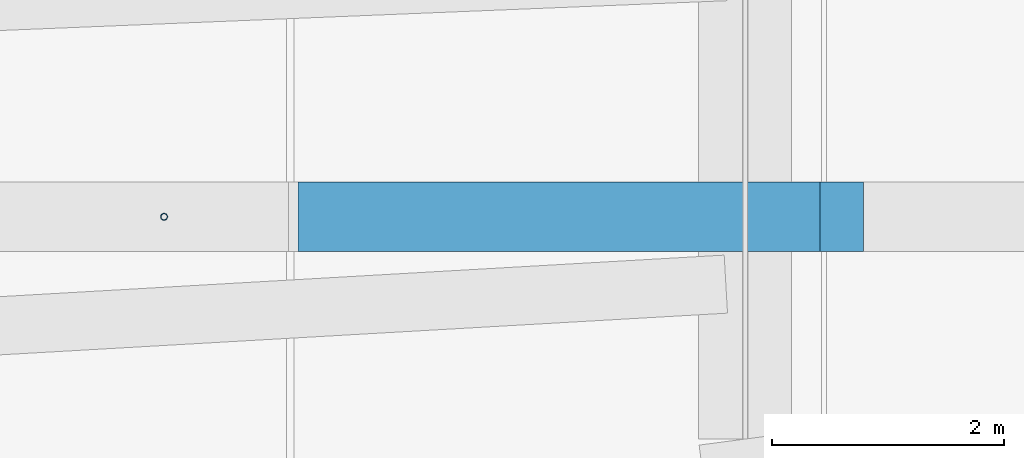
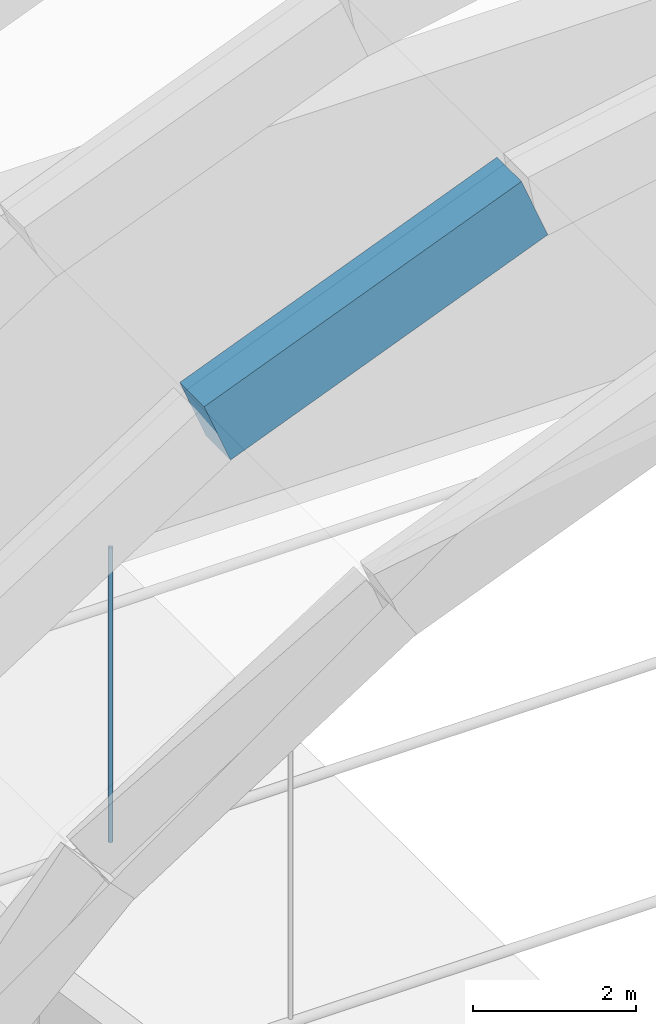
# One storey, part 25 of 94: 1 beam, 1 member.
"""IFC4 building model written with IfcOpenShell, lengths in metres."""

from ifc_helpers import new_model, si_unit, direction, frame, origin, origin_2d, place, context, subcontext, project, spatial, rectangle, hollow_circle, extrude, material, material_profile, profile_set, type_object, element, save


model = new_model("IFC4")

# Units and contexts
model_context = context("Model", 3, precision=1e-05, world=origin(), true_north=direction((0.0, 1.0)))
body_context = subcontext(model_context, "Body", "Model", "MODEL_VIEW")
ifc_project = project(units=[si_unit("LENGTHUNIT", "METRE"), si_unit("AREAUNIT", "SQUARE_METRE"), si_unit("VOLUMEUNIT", "CUBIC_METRE"), si_unit("PLANEANGLEUNIT", "RADIAN"), si_unit("MASSUNIT", "GRAM", prefix="KILO")], contexts=[model_context])

# Site, building, storey
site_placement = place(None, origin())
site = spatial("IfcSite", under=ifc_project, at=site_placement, CompositionType="ELEMENT")
building_placement = place(site_placement, origin())
building = spatial("IfcBuilding", under=site, at=building_placement, Name="Lunette Opera House", CompositionType="ELEMENT")
storey_placement = place(building_placement, frame((0.0, 0.0, 22.5)))
storey = spatial("IfcBuildingStorey", under=building, at=storey_placement, Name="L04", CompositionType="ELEMENT", Elevation=22.5)

# Beam
ifc_material_1 = material(Name="Concrete C40/50", Category="concrete")
ifc_material_profile_1 = material_profile(ifc_material_1, rectangle(XDim=0.60009765625, YDim=1.0, at=origin_2d()), Name="ARCH BEAM 600X1000")
ifc_profile_set_1 = profile_set([ifc_material_profile_1], Name="Concrete C40/50")
beam_type = type_object("IfcBeamType", Name="ARCH BEAM 600X1000", PredefinedType="BEAM", material=ifc_profile_set_1)
beam_placement = place(storey_placement, frame((84.340087890625, 86.37109375, 8.548095703125), z_axis=(0.92830257193, 0.0, 0.371825678172), x_axis=(0.0, 1.0, 0.0)))
element("IfcBeam", 1, at=beam_placement, inside=storey, type_object=beam_type, Name="beam-AU-L04-EA6-3", PredefinedType="BEAM", context=body_context, shape_type="SweptSolid", body=[
    extrude(rectangle(XDim=0.60009765625, YDim=1.0, at=origin_2d()), origin(), (0.0, 0.0, 1.0), 4.837890625),
])

# Member
ifc_material_2 = material(Name="Steel S355", Category="steel")
ifc_material_profile_2 = material_profile(ifc_material_2, hollow_circle(Radius=0.030029296875, WallThickness=0.00390625, at=origin_2d()), Name="CHS 60.3X4")
ifc_profile_set_2 = profile_set([ifc_material_profile_2], Name="Steel S355")
member_type = type_object("IfcMemberType", Name="CHS 60.3X4", PredefinedType="POST", material=ifc_profile_set_2)
member_placement = place(storey_placement, frame((83.0, 86.37109375, 2.72998046875), z_axis=(0.0, 0.0, 1.0), x_axis=(1.0, 0.0, 0.0)))
element("IfcMember", 2, at=member_placement, inside=storey, type_object=member_type, Name="mem-AU-L04-HG6-83", PredefinedType="POST", context=body_context, shape_type="SweptSolid", body=[
    extrude(hollow_circle(Radius=0.030029296875, WallThickness=0.00390625, at=origin_2d()), origin(), (0.0, 0.0, 1.0), 4.4111328125),
])

save(model, "model.ifc")
